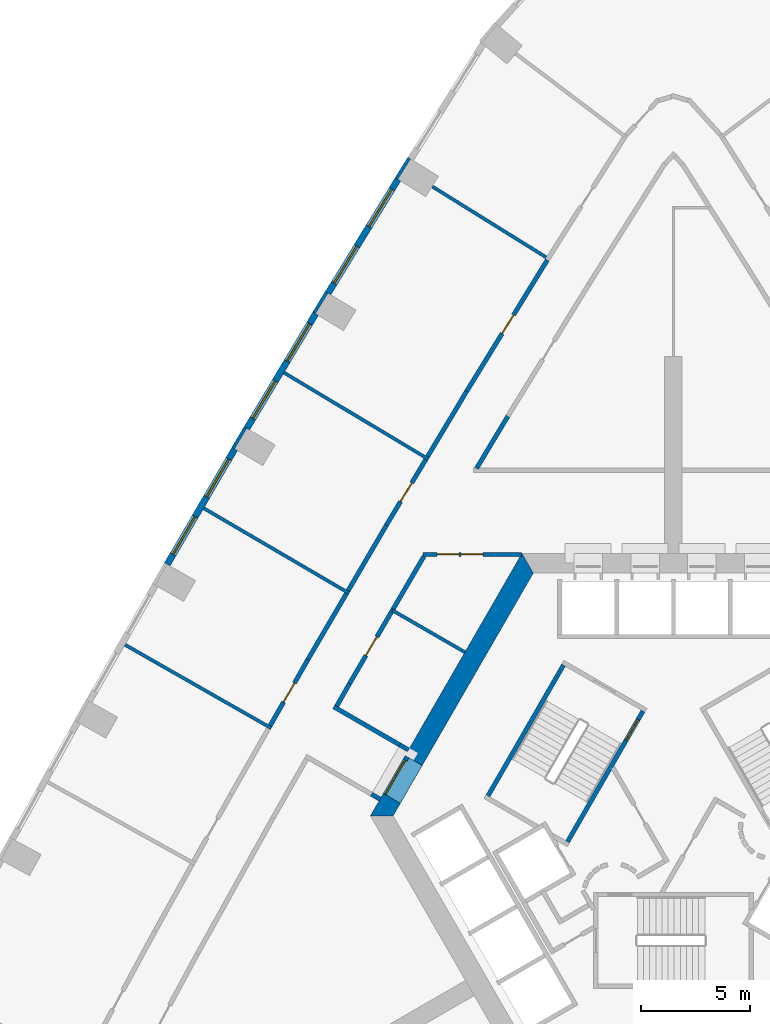
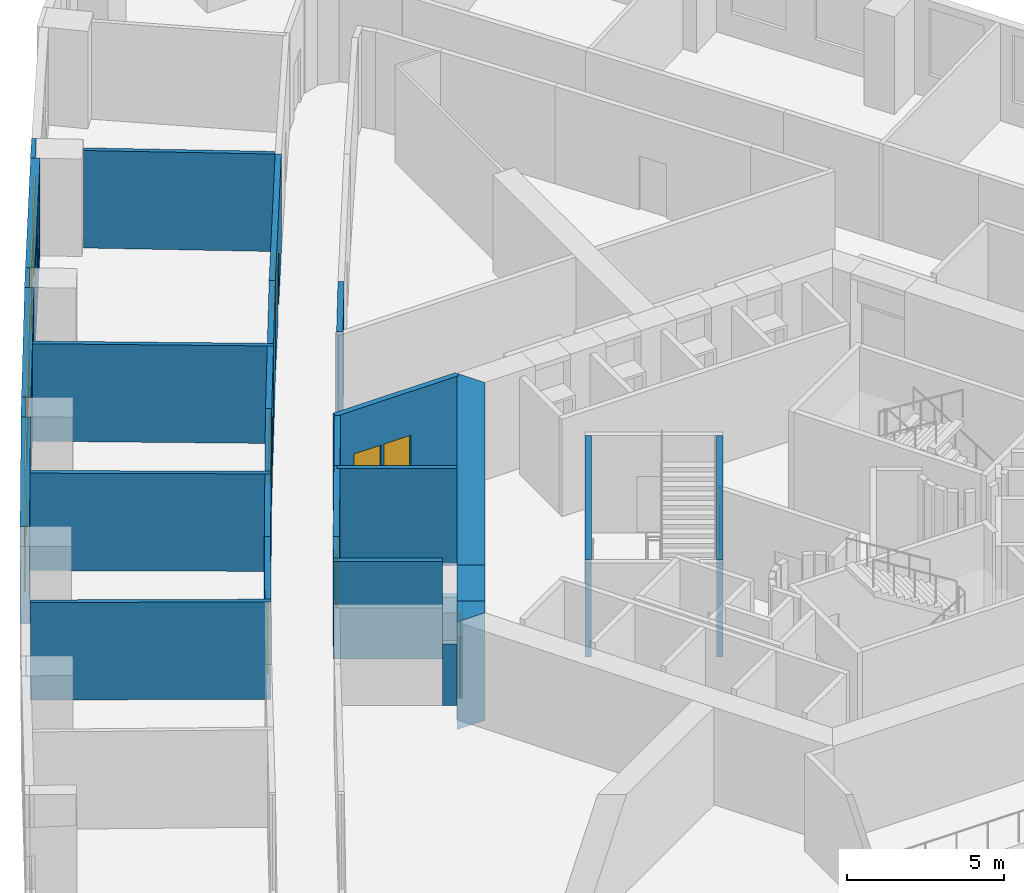
# One storey, part 8 of 14: 31 walls, 8 doors, 6 windows, 14 openings.
"""IFC4 building model written with IfcOpenShell, lengths in metres."""

from ifc_helpers import new_model, si_unit, direction, frame, frame_2d, origin, place, context, subcontext, project, spatial, polyline, rectangle, outline, extrude, material, layer, layer_set, type_object, element, fill, save


model = new_model("IFC4")

# Units and contexts
model_context = context("Model", 3, precision=1e-05, world=origin(), true_north=direction((0.0, 1.0)))
body_context = subcontext(model_context, "Body", "Model", "MODEL_VIEW")
ifc_project = project(units=[si_unit("LENGTHUNIT", "METRE"), si_unit("AREAUNIT", "SQUARE_METRE"), si_unit("VOLUMEUNIT", "CUBIC_METRE"), si_unit("PLANEANGLEUNIT", "RADIAN"), si_unit("MASSUNIT", "GRAM", prefix="KILO")], contexts=[model_context])

# Site, building, storey
site_placement = place(None, origin())
site = spatial("IfcSite", under=ifc_project, at=site_placement, CompositionType="ELEMENT")
building_placement = place(site_placement, origin())
building = spatial("IfcBuilding", under=site, at=building_placement, Name="Entoto Arch Interchange Tower", CompositionType="ELEMENT")
storey_placement = place(building_placement, frame((0.0, 0.0, 116.0)))
storey = spatial("IfcBuildingStorey", under=building, at=storey_placement, Name="L25", CompositionType="ELEMENT", Elevation=116.0)

# Wall, opening, door
ifc_material_1 = material(Name="Reinforced concrete C40/50", Category="concrete")
ifc_layer_1 = layer(ifc_material_1, 0.199951171875)
ifc_layer_set_1 = layer_set([ifc_layer_1], Name="Reinforced concrete C40/50")
wall_type_1 = type_object("IfcWallType", Name="CORE GAP INFILL WALL", PredefinedType="PARTITIONING", material=ifc_layer_set_1)
wall_1_placement = place(storey_placement, frame((-12.179931640625, 5.201904296875, 0.0), z_axis=(0.0, 0.0, 1.0), x_axis=(-0.50002537861, -0.866010750942, 0.0)))
wall_1 = element("IfcWall", 1, at=wall_1_placement, inside=storey, type_object=wall_type_1, Name="wall:L25:gap3", PredefinedType="PARTITIONING", context=body_context, shape_type="SweptSolid", body=[
    extrude(rectangle(XDim=2.0, YDim=0.199951171875, at=frame_2d((1.0, 0.0))), origin(), (0.0, 0.0, 1.0), 2.39990234375),
])
opening_1_placement = place(wall_1_placement, frame((0.18994140625, 0.0, 0.0)))
opening_1 = element("IfcOpeningElement", 2, at=opening_1_placement, cuts=wall_1, Name="Opening L25-D93", PredefinedType="OPENING", context=body_context, shape_type="SweptSolid", body=[
    extrude(rectangle(XDim=1.800048828125, YDim=2.10009765625, at=frame_2d((0.89990234375, 1.050048828125))), frame((0.0, 0.10986328125, 0.0), z_axis=(0.0, -1.0, 0.0), x_axis=(1.0, 0.0, 0.0)), (0.0, 0.0, 1.0), 0.219970703125),
])
ifc_material_2 = material(Name="Fire-rated Steel S235 door and frame", Category="steel")
door_type_1 = type_object("IfcDoorType", Name="DOOR FD-18 1800x2100", OperationType="DOUBLE_DOOR_SINGLE_SWING", PredefinedType="DOOR", material=ifc_material_2)
door_1_placement = place(opening_1_placement, origin())
door_1 = element("IfcDoor", 3, at=door_1_placement, inside=storey, type_object=door_type_1, Name="door:L25:gap3", OperationType="DOUBLE_DOOR_SINGLE_SWING", OverallHeight=2.10009765625, OverallWidth=1.800048828125, PredefinedType="DOOR", context=body_context, shape_type="SweptSolid", body=[
    extrude(rectangle(XDim=1.800048828125, YDim=2.10009765625, at=frame_2d((0.89990234375, 1.050048828125))), frame((0.0, 0.02490234375, 0.0), z_axis=(0.0, -1.0, 0.0), x_axis=(1.0, 0.0, 0.0)), (0.0, 0.0, 1.0), 0.050048828125),
])
fill(opening_1, door_1)

# Walls
ifc_material_3 = material(Name="Concrete C60/75", Category="concrete")
ifc_layer_2 = layer(ifc_material_3, 0.89990234375)
ifc_layer_set_2 = layer_set([ifc_layer_2], Name="Concrete C60/75")
wall_type_2 = type_object("IfcWallType", Name="Core wall 900 C60/75", PredefinedType="SHEAR", material=ifc_layer_set_2)
wall_2_placement = place(storey_placement, frame((0.0, 0.0, -0.39990234375)))
element("IfcWall", 4, at=wall_2_placement, inside=storey, type_object=wall_type_2, Name="Core wall NW L25", PredefinedType="SHEAR", context=body_context, shape_type="SweptSolid", body=[
    extrude(outline(polyline([(-12.26708984375, 5.251953125), (-11.488037109375, 4.802001953125), (-6.408935546875, 13.60009765625), (-6.927978515625, 14.5), (-12.26708984375, 5.251953125)])), origin(), (0.0, 0.0, 1.0), 4.199951171875),
])
wall_3_placement = place(storey_placement, frame((0.0, 0.0, -0.39990234375)))
element("IfcWall", 5, at=wall_3_placement, inside=storey, type_object=wall_type_2, Name="Core wall NW L25", PredefinedType="SHEAR", context=body_context, shape_type="SweptSolid", body=[
    extrude(outline(polyline([(-12.488037109375, 3.070068359375), (-13.26708984375, 3.52001953125), (-13.85595703125, 2.5), (-12.81689453125, 2.5), (-12.488037109375, 3.070068359375)])), origin(), (0.0, 0.0, 1.0), 4.199951171875),
])
wall_4_placement = place(storey_placement, frame((0.0, 0.0, 3.60009765625)))
element("IfcWall", 6, at=wall_4_placement, inside=storey, type_object=wall_type_2, Name="Core wall lintel NW L25", PredefinedType="SHEAR", context=body_context, shape_type="SweptSolid", body=[
    extrude(outline(polyline([(-13.26708984375, 3.52001953125), (-12.488037109375, 3.070068359375), (-11.488037109375, 4.802001953125), (-12.26708984375, 5.251953125), (-13.26708984375, 3.52001953125)])), origin(), (0.0, 0.0, 1.0), 0.199951171875),
])
ifc_material_4 = material(Name="Gypsum board partition on steel studs", Category="steel")
ifc_layer_3 = layer(ifc_material_4, 0.14990234375)
ifc_layer_set_3 = layer_set([ifc_layer_3], Name="Gypsum board partition on steel studs")
wall_type_3 = type_object("IfcWallType", Name="PARTITION 150", PredefinedType="PARTITIONING", material=ifc_layer_set_3)
wall_5_placement = place(storey_placement, frame((-9.537109375, 9.98095703125, 0.0), z_axis=(0.0, 0.0, 1.0), x_axis=(-0.866068787954, 0.499924848885, 0.0)))
element("IfcWall", 7, at=wall_5_placement, inside=storey, type_object=wall_type_3, Name="wall:L25:p089", PredefinedType="PARTITIONING", context=body_context, shape_type="SweptSolid", body=[
    extrude(rectangle(XDim=3.82861328125, YDim=0.14990234375, at=frame_2d((1.914306640625, 0.0))), origin(), (0.0, 0.0, 1.0), 3.800048828125),
])
wall_6_placement = place(storey_placement, frame((-5.81396484375, 28.031005859375, 0.0), z_axis=(0.0, 0.0, 1.0), x_axis=(-0.849222099047, 0.528035819324, 0.0)))
element("IfcWall", 8, at=wall_6_placement, inside=storey, type_object=wall_type_3, Name="wall:L25:p127", PredefinedType="PARTITIONING", context=body_context, shape_type="SweptSolid", body=[
    extrude(rectangle(XDim=6.13037109375, YDim=0.14990234375, at=frame_2d((3.065185546875, 0.0))), origin(), (0.0, 0.0, 1.0), 3.800048828125),
])
wall_7_placement = place(storey_placement, frame((-11.201904296875, 18.802978515625, 0.0), z_axis=(0.0, 0.0, 1.0), x_axis=(-0.857778149162, 0.514020084062, 0.0)))
element("IfcWall", 9, at=wall_7_placement, inside=storey, type_object=wall_type_3, Name="wall:L25:p128", PredefinedType="PARTITIONING", context=body_context, shape_type="SweptSolid", body=[
    extrude(rectangle(XDim=7.7001953125, YDim=0.14990234375, at=frame_2d((3.85009765625, 0.0))), origin(), (0.0, 0.0, 1.0), 3.800048828125),
])
wall_8_placement = place(storey_placement, frame((-14.830078125, 12.674072265625, 0.0), z_axis=(0.0, 0.0, 1.0), x_axis=(-0.863237916953, 0.504797284794, 0.0)))
element("IfcWall", 10, at=wall_8_placement, inside=storey, type_object=wall_type_3, Name="wall:L25:p129", PredefinedType="PARTITIONING", context=body_context, shape_type="SweptSolid", body=[
    extrude(rectangle(XDim=7.699951171875, YDim=0.14990234375, at=frame_2d((3.85009765625, 0.0))), origin(), (0.0, 0.0, 1.0), 3.800048828125),
])
wall_9_placement = place(storey_placement, frame((-18.39111328125, 6.506103515625, 0.0), z_axis=(0.0, 0.0, 1.0), x_axis=(-0.868738258528, 0.495271479261, 0.0)))
element("IfcWall", 11, at=wall_9_placement, inside=storey, type_object=wall_type_3, Name="wall:L25:p130", PredefinedType="PARTITIONING", context=body_context, shape_type="SweptSolid", body=[
    extrude(rectangle(XDim=7.70068359375, YDim=0.14990234375, at=frame_2d((3.850341796875, 0.0))), origin(), (0.0, 0.0, 1.0), 3.800048828125),
])
ifc_layer_4 = layer(ifc_material_4, 0.199951171875)
ifc_layer_set_4 = layer_set([ifc_layer_4], Name="Gypsum board partition on steel studs")
wall_type_4 = type_object("IfcWallType", Name="PARTITION 200", PredefinedType="PARTITIONING", material=ifc_layer_set_4)
wall_10_placement = place(storey_placement, frame((-11.408935546875, 14.364013671875, 0.0), z_axis=(0.0, 0.0, 1.0), x_axis=(-0.504846343003, -0.863209227219, 0.0)))
element("IfcWall", 12, at=wall_10_placement, inside=storey, type_object=wall_type_4, Name="wall:L25:p001", PredefinedType="PARTITIONING", context=body_context, shape_type="SweptSolid", body=[
    extrude(rectangle(XDim=2.784912109375, YDim=0.199951171875, at=frame_2d((1.392578125, 0.0))), origin(), (0.0, 0.0, 1.0), 3.800048828125),
])

# Wall, opening, door
wall_11_placement = place(storey_placement, frame((-12.81494140625, 11.9599609375, 0.0), z_axis=(0.0, 0.0, 1.0), x_axis=(-0.5048198861, -0.863224699946, 0.0)))
wall_11 = element("IfcWall", 13, at=wall_11_placement, inside=storey, type_object=wall_type_4, Name="wall:L25:p002", PredefinedType="PARTITIONING", context=body_context, shape_type="SweptSolid", body=[
    extrude(rectangle(XDim=3.9501953125, YDim=0.199951171875, at=frame_2d((1.97509765625, 0.0))), origin(), (0.0, 0.0, 1.0), 3.800048828125),
])
opening_2_placement = place(wall_11_placement, frame((1.47509765625, 0.0, 0.0)))
opening_2 = element("IfcOpeningElement", 14, at=opening_2_placement, cuts=wall_11, Name="Opening L25-D25", PredefinedType="OPENING", context=body_context, shape_type="SweptSolid", body=[
    extrude(rectangle(XDim=1.0, YDim=2.10009765625, at=frame_2d((0.5, 1.050048828125))), frame((0.0, 0.10986328125, 0.0), z_axis=(0.0, -1.0, 0.0), x_axis=(1.0, 0.0, 0.0)), (0.0, 0.0, 1.0), 0.219970703125),
])
ifc_material_5 = material(Name="Timber door leaf in Steel S235 frame", Category="steel")
door_type_2 = type_object("IfcDoorType", Name="DOOR DS-10 1000x2100", OperationType="SINGLE_SWING_LEFT", PredefinedType="DOOR", material=ifc_material_5)
door_2_placement = place(opening_2_placement, origin())
door_2 = element("IfcDoor", 15, at=door_2_placement, inside=storey, type_object=door_type_2, Name="door:L25:25", OperationType="SINGLE_SWING_RIGHT", OverallHeight=2.10009765625, OverallWidth=1.0, PredefinedType="DOOR", context=body_context, shape_type="SweptSolid", body=[
    extrude(rectangle(XDim=1.0, YDim=2.10009765625, at=frame_2d((0.5, 1.050048828125))), frame((0.0, 0.02490234375, 0.0), z_axis=(0.0, -1.0, 0.0), x_axis=(1.0, 0.0, 0.0)), (0.0, 0.0, 1.0), 0.050048828125),
])
fill(opening_2, door_2)

# Walls
wall_12_placement = place(storey_placement, frame((-14.80908203125, 8.550048828125, 0.0), z_axis=(0.0, 0.0, 1.0), x_axis=(-0.495074026382, -0.868850797549, 0.0)))
element("IfcWall", 16, at=wall_12_placement, inside=storey, type_object=wall_type_4, Name="wall:L25:p003", PredefinedType="PARTITIONING", context=body_context, shape_type="SweptSolid", body=[
    extrude(rectangle(XDim=1.185546875, YDim=0.199951171875, at=frame_2d((0.5927734375, 0.0))), origin(), (0.0, 0.0, 1.0), 3.800048828125),
])
wall_13_placement = place(storey_placement, frame((-15.531982421875, 7.48388671875, 0.0), z_axis=(0.0, 0.0, 1.0), x_axis=(0.866045954906, -0.499964402723, 0.0)))
element("IfcWall", 17, at=wall_13_placement, inside=storey, type_object=wall_type_4, Name="wall:L25:p004", PredefinedType="PARTITIONING", context=body_context, shape_type="SweptSolid", body=[
    extrude(rectangle(XDim=3.493896484375, YDim=0.199951171875, at=frame_2d((1.7470703125, 0.0))), origin(), (0.0, 0.0, 1.0), 3.800048828125),
])
wall_14_placement = place(storey_placement, frame((-7.575927734375, 20.76806640625, 0.0), z_axis=(0.0, 0.0, 1.0), x_axis=(-0.513900868925, -0.857849577092, 0.0)))
element("IfcWall", 18, at=wall_14_placement, inside=storey, type_object=wall_type_4, Name="wall:L25:p017", PredefinedType="PARTITIONING", context=body_context, shape_type="SweptSolid", body=[
    extrude(rectangle(XDim=2.77685546875, YDim=0.199951171875, at=frame_2d((1.388427734375, 0.0))), origin(), (0.0, 0.0, 1.0), 3.800048828125),
])
wall_15_placement = place(storey_placement, frame((-13.4169921875, 3.260009765625, 0.0), z_axis=(0.0, 0.0, 1.0), x_axis=(-0.866032067792, 0.499988457423, 0.0)))
element("IfcWall", 19, at=wall_15_placement, inside=storey, type_object=wall_type_4, Name="wall:L25:p026", PredefinedType="PARTITIONING", context=body_context, shape_type="SweptSolid", body=[
    extrude(rectangle(XDim=0.4501953125, YDim=0.199951171875, at=frame_2d((0.22509765625, 0.0))), origin(), (0.0, 0.0, 1.0), 2.39990234375),
])
wall_16_placement = place(storey_placement, frame((-11.2490234375, 18.91796875, 0.0), z_axis=(0.0, 0.0, 1.0), x_axis=(0.513949903813, 0.857820200491, 0.0)))
element("IfcWall", 20, at=wall_16_placement, inside=storey, type_object=wall_type_4, Name="wall:L25:p058", PredefinedType="PARTITIONING", context=body_context, shape_type="SweptSolid", body=[
    extrude(rectangle(XDim=3.48681640625, YDim=0.199951171875, at=frame_2d((1.743408203125, 0.0))), origin(), (0.0, 0.0, 1.0), 3.800048828125),
])

# Wall, opening, door
wall_17_placement = place(storey_placement, frame((-9.45703125, 21.908935546875, 0.0), z_axis=(0.0, 0.0, 1.0), x_axis=(0.523366731761, 0.852107542559, 0.0)))
wall_17 = element("IfcWall", 21, at=wall_17_placement, inside=storey, type_object=wall_type_4, Name="wall:L25:p059", PredefinedType="PARTITIONING", context=body_context, shape_type="SweptSolid", body=[
    extrude(rectangle(XDim=7.048583984375, YDim=0.199951171875, at=frame_2d((3.5244140625, 0.0))), origin(), (0.0, 0.0, 1.0), 3.800048828125),
])
opening_3_placement = place(wall_17_placement, frame((3.09912109375, 0.0, 0.0)))
opening_3 = element("IfcOpeningElement", 22, at=opening_3_placement, cuts=wall_17, Name="Opening L25-D10", PredefinedType="OPENING", context=body_context, shape_type="SweptSolid", body=[
    extrude(rectangle(XDim=1.0, YDim=2.10009765625, at=frame_2d((0.5, 1.050048828125))), frame((0.0, 0.10986328125, 0.0), z_axis=(0.0, -1.0, 0.0), x_axis=(1.0, 0.0, 0.0)), (0.0, 0.0, 1.0), 0.219970703125),
])
door_3_placement = place(opening_3_placement, origin())
door_3 = element("IfcDoor", 23, at=door_3_placement, inside=storey, type_object=door_type_2, Name="door:L25:10", OperationType="SINGLE_SWING_LEFT", OverallHeight=2.10009765625, OverallWidth=1.0, PredefinedType="DOOR", context=body_context, shape_type="SweptSolid", body=[
    extrude(rectangle(XDim=1.0, YDim=2.10009765625, at=frame_2d((0.5, 1.050048828125))), frame((0.0, 0.02490234375, 0.0), z_axis=(0.0, -1.0, 0.0), x_axis=(1.0, 0.0, 0.0)), (0.0, 0.0, 1.0), 0.050048828125),
])
fill(opening_3, door_3)

# Wall
wall_18_placement = place(storey_placement, frame((-14.87890625, 12.7890625, 0.0), z_axis=(0.0, 0.0, 1.0), x_axis=(0.504763220102, 0.863257836126, 0.0)))
element("IfcWall", 24, at=wall_18_placement, inside=storey, type_object=wall_type_4, Name="wall:L25:p060", PredefinedType="PARTITIONING", context=body_context, shape_type="SweptSolid", body=[
    extrude(rectangle(XDim=3.48681640625, YDim=0.199951171875, at=frame_2d((1.743408203125, 0.0))), origin(), (0.0, 0.0, 1.0), 3.800048828125),
])

# Wall, opening, door
wall_19_placement = place(storey_placement, frame((-13.118896484375, 15.799072265625, 0.0), z_axis=(0.0, 0.0, 1.0), x_axis=(0.514155958966, 0.857696712049, 0.0)))
wall_19 = element("IfcWall", 25, at=wall_19_placement, inside=storey, type_object=wall_type_4, Name="wall:L25:p061", PredefinedType="PARTITIONING", context=body_context, shape_type="SweptSolid", body=[
    extrude(rectangle(XDim=3.4873046875, YDim=0.199951171875, at=frame_2d((1.74365234375, 0.0))), origin(), (0.0, 0.0, 1.0), 3.800048828125),
])
opening_4_placement = place(wall_19_placement, frame((1.243896484375, 0.0, 0.0)))
opening_4 = element("IfcOpeningElement", 26, at=opening_4_placement, cuts=wall_19, Name="Opening L25-D11", PredefinedType="OPENING", context=body_context, shape_type="SweptSolid", body=[
    extrude(rectangle(XDim=1.0, YDim=2.10009765625, at=frame_2d((0.5, 1.050048828125))), frame((0.0, 0.10986328125, 0.0), z_axis=(0.0, -1.0, 0.0), x_axis=(1.0, 0.0, 0.0)), (0.0, 0.0, 1.0), 0.219970703125),
])
door_4_placement = place(opening_4_placement, origin())
door_4 = element("IfcDoor", 27, at=door_4_placement, inside=storey, type_object=door_type_2, Name="door:L25:11", OperationType="SINGLE_SWING_LEFT", OverallHeight=2.10009765625, OverallWidth=1.0, PredefinedType="DOOR", context=body_context, shape_type="SweptSolid", body=[
    extrude(rectangle(XDim=1.0, YDim=2.10009765625, at=frame_2d((0.5, 1.050048828125))), frame((0.0, 0.02490234375, 0.0), z_axis=(0.0, -1.0, 0.0), x_axis=(1.0, 0.0, 0.0)), (0.0, 0.0, 1.0), 0.050048828125),
])
fill(opening_4, door_4)

wall_20_placement = place(storey_placement, frame((-18.44091796875, 6.62109375, 0.0), z_axis=(0.0, 0.0, 1.0), x_axis=(0.495286549488, 0.868729666753, 0.0)))
wall_20 = element("IfcWall", 28, at=wall_20_placement, inside=storey, type_object=wall_type_4, Name="wall:L25:p062", PredefinedType="PARTITIONING", context=body_context, shape_type="SweptSolid", body=[
    extrude(rectangle(XDim=3.486572265625, YDim=0.199951171875, at=frame_2d((1.7431640625, 0.0))), origin(), (0.0, 0.0, 1.0), 3.800048828125),
])
opening_5_placement = place(wall_20_placement, frame((1.242919921875, 0.0, 0.0)))
opening_5 = element("IfcOpeningElement", 29, at=opening_5_placement, cuts=wall_20, Name="Opening L25-D12", PredefinedType="OPENING", context=body_context, shape_type="SweptSolid", body=[
    extrude(rectangle(XDim=1.0, YDim=2.10009765625, at=frame_2d((0.5, 1.050048828125))), frame((0.0, 0.10986328125, 0.0), z_axis=(0.0, -1.0, 0.0), x_axis=(1.0, 0.0, 0.0)), (0.0, 0.0, 1.0), 0.219970703125),
])
door_5_placement = place(opening_5_placement, origin())
door_5 = element("IfcDoor", 30, at=door_5_placement, inside=storey, type_object=door_type_2, Name="door:L25:12", OperationType="SINGLE_SWING_RIGHT", OverallHeight=2.10009765625, OverallWidth=1.0, PredefinedType="DOOR", context=body_context, shape_type="SweptSolid", body=[
    extrude(rectangle(XDim=1.0, YDim=2.10009765625, at=frame_2d((0.5, 1.050048828125))), frame((0.0, 0.02490234375, 0.0), z_axis=(0.0, -1.0, 0.0), x_axis=(1.0, 0.0, 0.0)), (0.0, 0.0, 1.0), 0.050048828125),
])
fill(opening_5, door_5)

# Wall
wall_21_placement = place(storey_placement, frame((-16.714111328125, 9.64990234375, 0.0), z_axis=(0.0, 0.0, 1.0), x_axis=(0.504885284202, 0.863186451351, 0.0)))
element("IfcWall", 31, at=wall_21_placement, inside=storey, type_object=wall_type_4, Name="wall:L25:p063", PredefinedType="PARTITIONING", context=body_context, shape_type="SweptSolid", body=[
    extrude(rectangle(XDim=3.48583984375, YDim=0.199951171875, at=frame_2d((1.742919921875, 0.0))), origin(), (0.0, 0.0, 1.0), 3.800048828125),
])

# Wall, openings, doors
wall_22_placement = place(storey_placement, frame((-6.95703125, 14.449951171875, 0.0), z_axis=(0.0, 0.0, 1.0), x_axis=(-1.0, 0.0, 0.0)))
wall_22 = element("IfcWall", 32, at=wall_22_placement, inside=storey, type_object=wall_type_4, Name="wall:L25:p090", PredefinedType="PARTITIONING", context=body_context, shape_type="SweptSolid", body=[
    extrude(rectangle(XDim=4.501953125, YDim=0.199951171875, at=frame_2d((2.2509765625, 0.0))), origin(), (0.0, 0.0, 1.0), 3.800048828125),
])
opening_6_placement = place(wall_22_placement, frame((1.7509765625, 0.0, 0.0)))
opening_6 = element("IfcOpeningElement", 33, at=opening_6_placement, cuts=wall_22, Name="Opening L25-D24", PredefinedType="OPENING", context=body_context, shape_type="SweptSolid", body=[
    extrude(rectangle(XDim=1.0, YDim=2.10009765625, at=frame_2d((0.5, 1.050048828125))), frame((0.0, 0.10986328125, 0.0), z_axis=(0.0, -1.0, 0.0), x_axis=(1.0, 0.0, 0.0)), (0.0, 0.0, 1.0), 0.219970703125),
])
opening_7_placement = place(wall_22_placement, frame((2.85107421875, 0.0, 0.0)))
opening_7 = element("IfcOpeningElement", 34, at=opening_7_placement, cuts=wall_22, Name="Opening L25-D32", PredefinedType="OPENING", context=body_context, shape_type="SweptSolid", body=[
    extrude(rectangle(XDim=1.0, YDim=2.10009765625, at=frame_2d((0.5, 1.050048828125))), frame((0.0, 0.10986328125, 0.0), z_axis=(0.0, -1.0, 0.0), x_axis=(1.0, 0.0, 0.0)), (0.0, 0.0, 1.0), 0.219970703125),
])
door_6_placement = place(opening_6_placement, origin())
door_6 = element("IfcDoor", 35, at=door_6_placement, inside=storey, type_object=door_type_2, Name="door:L25:24", OperationType="SINGLE_SWING_LEFT", OverallHeight=2.10009765625, OverallWidth=1.0, PredefinedType="DOOR", context=body_context, shape_type="SweptSolid", body=[
    extrude(rectangle(XDim=1.0, YDim=2.10009765625, at=frame_2d((0.5, 1.050048828125))), frame((0.0, 0.02490234375, 0.0), z_axis=(0.0, -1.0, 0.0), x_axis=(1.0, 0.0, 0.0)), (0.0, 0.0, 1.0), 0.050048828125),
])
fill(opening_6, door_6)
door_7_placement = place(opening_7_placement, origin())
door_7 = element("IfcDoor", 36, at=door_7_placement, inside=storey, type_object=door_type_2, Name="door:L25:32", OperationType="SINGLE_SWING_RIGHT", OverallHeight=2.10009765625, OverallWidth=1.0, PredefinedType="DOOR", context=body_context, shape_type="SweptSolid", body=[
    extrude(rectangle(XDim=1.0, YDim=2.10009765625, at=frame_2d((0.5, 1.050048828125))), frame((0.0, 0.02490234375, 0.0), z_axis=(0.0, -1.0, 0.0), x_axis=(1.0, 0.0, 0.0)), (0.0, 0.0, 1.0), 0.050048828125),
])
fill(opening_7, door_7)

# Wall
wall_23_placement = place(storey_placement, frame((-12.506103515625, 5.737060546875, 0.0), z_axis=(0.0, 0.0, 1.0), x_axis=(0.865624510465, -0.500693725627, 0.0)))
element("IfcWall", 37, at=wall_23_placement, inside=storey, type_object=wall_type_4, Name="wall:L25:p004", PredefinedType="PARTITIONING", context=body_context, shape_type="SweptSolid", body=[
    extrude(rectangle(XDim=0.449462890625, YDim=0.199951171875, at=frame_2d((0.224609375, 0.0))), origin(), (0.0, 0.0, 1.0), 2.39990234375),
])

# Wall, opening, door
ifc_material_6 = material(Name="Concrete C40/50", Category="concrete")
ifc_layer_5 = layer(ifc_material_6, 0.199951171875)
ifc_layer_set_5 = layer_set([ifc_layer_5], Name="Concrete C40/50")
wall_type_5 = type_object("IfcWallType", Name="STAIR ENCLOSURE WALL 200", PredefinedType="STANDARD", material=ifc_layer_set_5)
wall_24_placement = place(storey_placement, frame((-1.39306640625, 7.2880859375, 0.0), z_axis=(0.0, 0.0, 1.0), x_axis=(-0.499963383562, -0.866046543262, 0.0)))
wall_24 = element("IfcWall", 38, at=wall_24_placement, inside=storey, type_object=wall_type_5, Name="Stair wall ST-NW hall", PredefinedType="STANDARD", context=body_context, shape_type="SweptSolid", body=[
    extrude(rectangle(XDim=6.900390625, YDim=0.199951171875, at=frame_2d((3.4501953125, 0.0))), origin(), (0.0, 0.0, 1.0), 3.800048828125),
])
opening_8_placement = place(wall_24_placement, frame((0.449951171875, 0.0, 0.0)))
opening_8 = element("IfcOpeningElement", 39, at=opening_8_placement, cuts=wall_24, Name="Opening SD-ST-NW-L25", PredefinedType="OPENING", context=body_context, shape_type="SweptSolid", body=[
    extrude(rectangle(XDim=1.10009765625, YDim=2.199951171875, at=frame_2d((0.550048828125, 1.10009765625))), frame((0.0, 0.10986328125, 0.0), z_axis=(0.0, -1.0, 0.0), x_axis=(1.0, 0.0, 0.0)), (0.0, 0.0, 1.0), 0.219970703125),
])
ifc_material_7 = material(Name="Steel S235", Category="steel")
door_type_3 = type_object("IfcDoorType", Name="STAIR DOOR SD1 1100x2200", OperationType="SINGLE_SWING_LEFT", PredefinedType="DOOR", material=ifc_material_7)
door_8_placement = place(opening_8_placement, origin())
door_8 = element("IfcDoor", 40, at=door_8_placement, inside=storey, type_object=door_type_3, Name="Stair door ST-NW L25", OperationType="SINGLE_SWING_LEFT", OverallHeight=2.199951171875, OverallWidth=1.10009765625, PredefinedType="DOOR", context=body_context, shape_type="SweptSolid", body=[
    extrude(rectangle(XDim=1.10009765625, YDim=2.199951171875, at=frame_2d((0.550048828125, 1.10009765625))), frame((0.0, 0.02490234375, 0.0), z_axis=(0.0, -1.0, 0.0), x_axis=(1.0, 0.0, 0.0)), (0.0, 0.0, 1.0), 0.050048828125),
])
fill(opening_8, door_8)

# Wall
wall_25_placement = place(storey_placement, frame((-5.030029296875, 9.387939453125, 0.0), z_axis=(0.0, 0.0, 1.0), x_axis=(-0.499978703459, -0.866037698999, 0.0)))
element("IfcWall", 41, at=wall_25_placement, inside=storey, type_object=wall_type_5, Name="Stair wall ST-NW back", PredefinedType="STANDARD", context=body_context, shape_type="SweptSolid", body=[
    extrude(rectangle(XDim=6.900146484375, YDim=0.199951171875, at=frame_2d((3.4501953125, 0.0))), origin(), (0.0, 0.0, 1.0), 3.800048828125),
])

# Wall, openings, windows
ifc_material_8 = material(Name="Welded tuff (ignimbrite) cladding, warm buff", Category="masonry")
ifc_layer_6 = layer(ifc_material_8, 0.300048828125)
ifc_layer_set_6 = layer_set([ifc_layer_6], Name="Welded tuff (ignimbrite) cladding, warm buff")
wall_type_6 = type_object("IfcWallType", Name="STONE INFILL WALL 300", PredefinedType="STANDARD", material=ifc_layer_set_6)
wall_26_placement = place(storey_placement, frame((-12.597900390625, 31.60302734375, 0.0), z_axis=(0.0, 0.0, 1.0), x_axis=(-0.523417276981, -0.852076495485, 0.0)))
wall_26 = element("IfcWall", 42, at=wall_26_placement, inside=storey, type_object=wall_type_6, Name="Facade wall NW-02 L25", PredefinedType="STANDARD", context=body_context, shape_type="SweptSolid", body=[
    extrude(rectangle(XDim=6.10986328125, YDim=0.300048828125, at=frame_2d((3.054931640625, 0.0))), origin(), (0.0, 0.0, 1.0), 3.800048828125),
])
opening_9_placement = place(wall_26_placement, frame((0.527099609375, 0.0, 0.89990234375)))
opening_9 = element("IfcOpeningElement", 43, at=opening_9_placement, cuts=wall_26, Name="Opening WO-C", PredefinedType="OPENING", context=body_context, shape_type="SweptSolid", body=[
    extrude(rectangle(XDim=2.0, YDim=2.60009765625, at=frame_2d((1.0, 1.300048828125))), frame((0.0, 0.16015625, 0.0), z_axis=(0.0, -1.0, 0.0), x_axis=(1.0, 0.0, 0.0)), (0.0, 0.0, 1.0), 0.320068359375),
])
opening_10_placement = place(wall_26_placement, frame((3.58203125, 0.0, 0.89990234375)))
opening_10 = element("IfcOpeningElement", 44, at=opening_10_placement, cuts=wall_26, Name="Opening WO-C", PredefinedType="OPENING", context=body_context, shape_type="SweptSolid", body=[
    extrude(rectangle(XDim=2.0, YDim=2.60009765625, at=frame_2d((1.0, 1.300048828125))), frame((0.0, 0.16015625, 0.0), z_axis=(0.0, -1.0, 0.0), x_axis=(1.0, 0.0, 0.0)), (0.0, 0.0, 1.0), 0.320068359375),
])
ifc_material_9 = material(Name="Clear glass, low-e double glazed", Category="glass")
window_type = type_object("IfcWindowType", Name="WINDOW WO-C 2000x2600", PartitioningType="DOUBLE_PANEL_VERTICAL", PredefinedType="WINDOW", material=ifc_material_9)
window_1_placement = place(opening_9_placement, origin())
window_1 = element("IfcWindow", 45, at=window_1_placement, inside=storey, type_object=window_type, Name="Window WO-C NW-02 L25", OverallHeight=2.60009765625, OverallWidth=2.0, PartitioningType="SINGLE_PANEL", PredefinedType="WINDOW", context=body_context, shape_type="SweptSolid", body=[
    extrude(rectangle(XDim=2.0, YDim=2.60009765625, at=frame_2d((1.0, 1.300048828125))), frame((0.0, 0.030029296875, 0.0), z_axis=(0.0, -1.0, 0.0), x_axis=(1.0, 0.0, 0.0)), (0.0, 0.0, 1.0), 0.06005859375),
])
fill(opening_9, window_1)
window_2_placement = place(opening_10_placement, origin())
window_2 = element("IfcWindow", 46, at=window_2_placement, inside=storey, type_object=window_type, Name="Window WO-C NW-02 L25", OverallHeight=2.60009765625, OverallWidth=2.0, PartitioningType="SINGLE_PANEL", PredefinedType="WINDOW", context=body_context, shape_type="SweptSolid", body=[
    extrude(rectangle(XDim=2.0, YDim=2.60009765625, at=frame_2d((1.0, 1.300048828125))), frame((0.0, 0.030029296875, 0.0), z_axis=(0.0, -1.0, 0.0), x_axis=(1.0, 0.0, 0.0)), (0.0, 0.0, 1.0), 0.06005859375),
])
fill(opening_10, window_2)

wall_27_placement = place(storey_placement, frame((-16.364990234375, 25.4580078125, 0.0), z_axis=(0.0, 0.0, 1.0), x_axis=(-0.514078503149, -0.857743139057, 0.0)))
wall_27 = element("IfcWall", 47, at=wall_27_placement, inside=storey, type_object=wall_type_6, Name="Facade wall NW-03 L25", PredefinedType="STANDARD", context=body_context, shape_type="SweptSolid", body=[
    extrude(rectangle(XDim=6.110107421875, YDim=0.300048828125, at=frame_2d((3.05517578125, 0.0))), origin(), (0.0, 0.0, 1.0), 3.800048828125),
])
opening_11_placement = place(wall_27_placement, frame((0.528076171875, 0.0, 0.89990234375)))
opening_11 = element("IfcOpeningElement", 48, at=opening_11_placement, cuts=wall_27, Name="Opening WO-C", PredefinedType="OPENING", context=body_context, shape_type="SweptSolid", body=[
    extrude(rectangle(XDim=2.0, YDim=2.60009765625, at=frame_2d((1.0, 1.300048828125))), frame((0.0, 0.16015625, 0.0), z_axis=(0.0, -1.0, 0.0), x_axis=(1.0, 0.0, 0.0)), (0.0, 0.0, 1.0), 0.320068359375),
])
opening_12_placement = place(wall_27_placement, frame((3.5830078125, 0.0, 0.89990234375)))
opening_12 = element("IfcOpeningElement", 49, at=opening_12_placement, cuts=wall_27, Name="Opening WO-C", PredefinedType="OPENING", context=body_context, shape_type="SweptSolid", body=[
    extrude(rectangle(XDim=2.0, YDim=2.60009765625, at=frame_2d((1.0, 1.300048828125))), frame((0.0, 0.16015625, 0.0), z_axis=(0.0, -1.0, 0.0), x_axis=(1.0, 0.0, 0.0)), (0.0, 0.0, 1.0), 0.320068359375),
])
window_3_placement = place(opening_11_placement, origin())
window_3 = element("IfcWindow", 50, at=window_3_placement, inside=storey, type_object=window_type, Name="Window WO-C NW-03 L25", OverallHeight=2.60009765625, OverallWidth=2.0, PartitioningType="SINGLE_PANEL", PredefinedType="WINDOW", context=body_context, shape_type="SweptSolid", body=[
    extrude(rectangle(XDim=2.0, YDim=2.60009765625, at=frame_2d((1.0, 1.300048828125))), frame((0.0, 0.030029296875, 0.0), z_axis=(0.0, -1.0, 0.0), x_axis=(1.0, 0.0, 0.0)), (0.0, 0.0, 1.0), 0.06005859375),
])
fill(opening_11, window_3)
window_4_placement = place(opening_12_placement, origin())
window_4 = element("IfcWindow", 51, at=window_4_placement, inside=storey, type_object=window_type, Name="Window WO-C NW-03 L25", OverallHeight=2.60009765625, OverallWidth=2.0, PartitioningType="SINGLE_PANEL", PredefinedType="WINDOW", context=body_context, shape_type="SweptSolid", body=[
    extrude(rectangle(XDim=2.0, YDim=2.60009765625, at=frame_2d((1.0, 1.300048828125))), frame((0.0, 0.030029296875, 0.0), z_axis=(0.0, -1.0, 0.0), x_axis=(1.0, 0.0, 0.0)), (0.0, 0.0, 1.0), 0.06005859375),
])
fill(opening_12, window_4)

wall_28_placement = place(storey_placement, frame((-20.06494140625, 19.27294921875, 0.0), z_axis=(0.0, 0.0, 1.0), x_axis=(-0.504790055126, -0.863242144619, 0.0)))
wall_28 = element("IfcWall", 52, at=wall_28_placement, inside=storey, type_object=wall_type_6, Name="Facade wall NW-04 L25", PredefinedType="STANDARD", context=body_context, shape_type="SweptSolid", body=[
    extrude(rectangle(XDim=6.109375, YDim=0.300048828125, at=frame_2d((3.0546875, 0.0))), origin(), (0.0, 0.0, 1.0), 3.800048828125),
])
opening_13_placement = place(wall_28_placement, frame((0.527099609375, 0.0, 0.89990234375)))
opening_13 = element("IfcOpeningElement", 53, at=opening_13_placement, cuts=wall_28, Name="Opening WO-C", PredefinedType="OPENING", context=body_context, shape_type="SweptSolid", body=[
    extrude(rectangle(XDim=2.0, YDim=2.60009765625, at=frame_2d((1.0, 1.300048828125))), frame((0.0, 0.16015625, 0.0), z_axis=(0.0, -1.0, 0.0), x_axis=(1.0, 0.0, 0.0)), (0.0, 0.0, 1.0), 0.320068359375),
])
opening_14_placement = place(wall_28_placement, frame((3.58203125, 0.0, 0.89990234375)))
opening_14 = element("IfcOpeningElement", 54, at=opening_14_placement, cuts=wall_28, Name="Opening WO-C", PredefinedType="OPENING", context=body_context, shape_type="SweptSolid", body=[
    extrude(rectangle(XDim=2.0, YDim=2.60009765625, at=frame_2d((1.0, 1.300048828125))), frame((0.0, 0.16015625, 0.0), z_axis=(0.0, -1.0, 0.0), x_axis=(1.0, 0.0, 0.0)), (0.0, 0.0, 1.0), 0.320068359375),
])
window_5_placement = place(opening_13_placement, origin())
window_5 = element("IfcWindow", 55, at=window_5_placement, inside=storey, type_object=window_type, Name="Window WO-C NW-04 L25", OverallHeight=2.60009765625, OverallWidth=2.0, PartitioningType="SINGLE_PANEL", PredefinedType="WINDOW", context=body_context, shape_type="SweptSolid", body=[
    extrude(rectangle(XDim=2.0, YDim=2.60009765625, at=frame_2d((1.0, 1.300048828125))), frame((0.0, 0.030029296875, 0.0), z_axis=(0.0, -1.0, 0.0), x_axis=(1.0, 0.0, 0.0)), (0.0, 0.0, 1.0), 0.06005859375),
])
fill(opening_13, window_5)
window_6_placement = place(opening_14_placement, origin())
window_6 = element("IfcWindow", 56, at=window_6_placement, inside=storey, type_object=window_type, Name="Window WO-C NW-04 L25", OverallHeight=2.60009765625, OverallWidth=2.0, PartitioningType="SINGLE_PANEL", PredefinedType="WINDOW", context=body_context, shape_type="SweptSolid", body=[
    extrude(rectangle(XDim=2.0, YDim=2.60009765625, at=frame_2d((1.0, 1.300048828125))), frame((0.0, 0.030029296875, 0.0), z_axis=(0.0, -1.0, 0.0), x_axis=(1.0, 0.0, 0.0)), (0.0, 0.0, 1.0), 0.06005859375),
])
fill(opening_14, window_6)

# Walls
ifc_layer_7 = layer(ifc_material_8, 0.14990234375)
ifc_layer_set_7 = layer_set([ifc_layer_7], Name="Welded tuff (ignimbrite) cladding, warm buff")
wall_type_7 = type_object("IfcWallType", Name="STONE PIER CLADDING 150", PredefinedType="STANDARD", material=ifc_layer_set_7)
wall_29_placement = place(storey_placement, frame((-12.0830078125, 32.576904296875, 0.0), z_axis=(0.0, 0.0, 1.0), x_axis=(-0.52997899071, -0.848010771987, 0.0)))
element("IfcWall", 57, at=wall_29_placement, inside=storey, type_object=wall_type_7, Name="Stone pier NW02 L25", PredefinedType="STANDARD", context=body_context, shape_type="SweptSolid", body=[
    extrude(rectangle(XDim=1.10009765625, YDim=0.14990234375, at=frame_2d((0.550048828125, 0.0))), origin(), (0.0, 0.0, 1.0), 3.800048828125),
])
wall_30_placement = place(storey_placement, frame((-15.861083984375, 26.43798828125, 0.0), z_axis=(0.0, 0.0, 1.0), x_axis=(-0.519869515594, -0.854245682901, 0.0)))
element("IfcWall", 58, at=wall_30_placement, inside=storey, type_object=wall_type_7, Name="Stone pier NW03 L25", PredefinedType="STANDARD", context=body_context, shape_type="SweptSolid", body=[
    extrude(rectangle(XDim=1.100341796875, YDim=0.14990234375, at=frame_2d((0.55029296875, 0.0))), origin(), (0.0, 0.0, 1.0), 3.800048828125),
])
wall_31_placement = place(storey_placement, frame((-19.572021484375, 20.258056640625, 0.0), z_axis=(0.0, 0.0, 1.0), x_axis=(-0.510082245696, -0.860125631885, 0.0)))
element("IfcWall", 59, at=wall_31_placement, inside=storey, type_object=wall_type_7, Name="Stone pier NW04 L25", PredefinedType="STANDARD", context=body_context, shape_type="SweptSolid", body=[
    extrude(rectangle(XDim=1.099853515625, YDim=0.14990234375, at=frame_2d((0.5498046875, 0.0))), origin(), (0.0, 0.0, 1.0), 3.800048828125),
])

save(model, "model.ifc")
